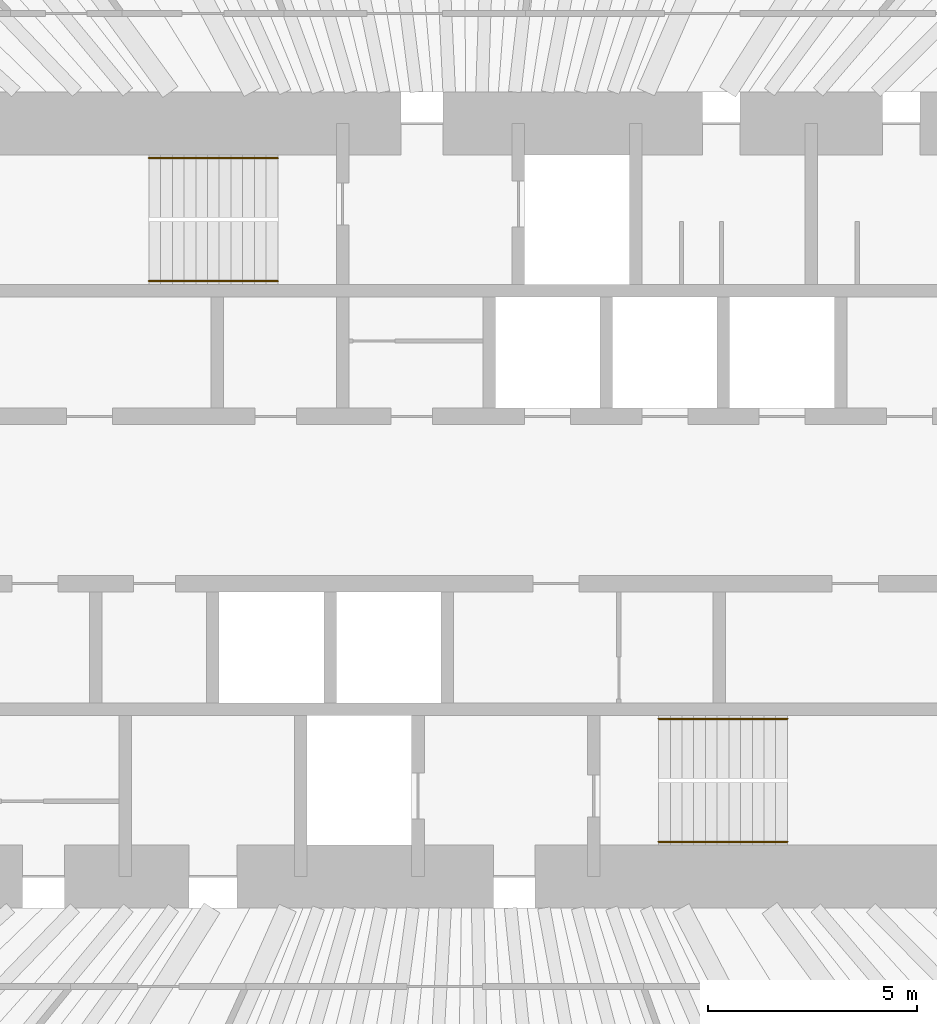
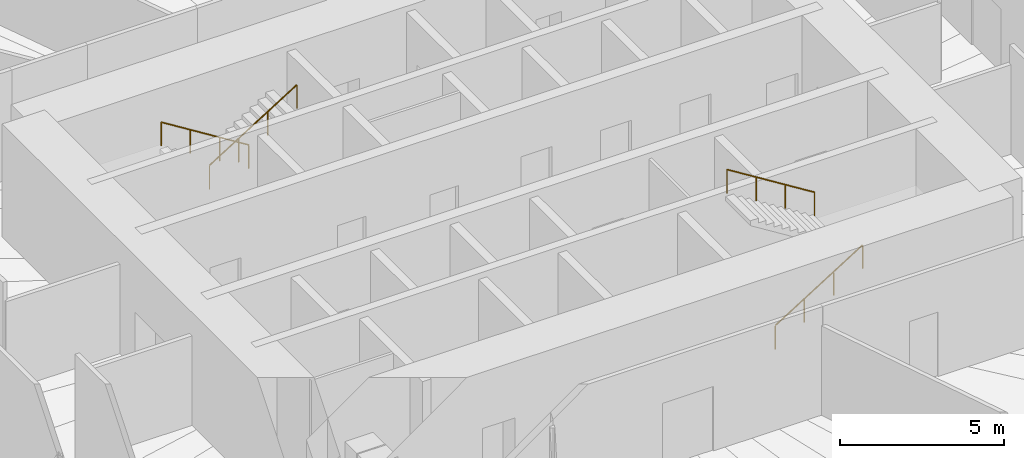
# One storey, part 13 of 13: 4 railings.
"""IFC4 building model written with IfcOpenShell, lengths in metres."""

import ifcopenshell
import ifcopenshell.guid

model = None  # the IFC model being written
_history = None  # IfcOwnerHistory: only IFC2X3 demands one
_inside = {}  # id of a spatial element -> (the spatial element, [elements in it])
_under = {}  # id of a project, library or spatial element -> (it, [spatial elements below it])
_declared = {}  # id of a project -> (the project, [libraries it declares])
_typed = {}  # id of a type object -> (the type object, [elements of that type])
_made_of = {}  # id of a material, layer set ... -> (it, [elements and type objects made of it])


def new_model(schema):
    """Start an empty IFC model of exactly this schema.

    Asked for "IFC4X3", IfcOpenShell would pick the latest addendum, in which some entities
    have other attributes; the version numbers below select the first issue.
    IFC2X3 requires an IfcOwnerHistory on every rooted entity: one is made here for all.
    """
    global model, _history
    if schema == "IFC4X3":
        model = ifcopenshell.file(schema_version=(4, 3, 0, 0))
    else:
        model = ifcopenshell.file(schema=schema)
    _inside.clear()
    _under.clear()
    _declared.clear()
    _typed.clear()
    _made_of.clear()
    _history = None
    if model.schema == "IFC2X3":
        org = make("IfcOrganization", Name="unknown")
        user = make(
            "IfcPersonAndOrganization",
            ThePerson=make("IfcPerson", FamilyName="unknown"),
            TheOrganization=org,
        )
        app = make(
            "IfcApplication",
            ApplicationDeveloper=org,
            Version="unknown",
            ApplicationFullName="unknown",
            ApplicationIdentifier="unknown",
        )
        _history = make(
            "IfcOwnerHistory",
            OwningUser=user,
            OwningApplication=app,
            ChangeAction="ADDED",
            CreationDate=0,
        )
    return model


def make(cls, **values):
    """One entity of the class cls with the attributes given. An attribute that is None is left unset."""
    return model.create_entity(
        cls, **{name: value for name, value in values.items() if value is not None}
    )


def rooted(cls, **values):
    """An entity with a GlobalId (a new one), such as an element, a storey or a relation."""
    return make(cls, GlobalId=ifcopenshell.guid.new(), OwnerHistory=_history, **values)


def si_unit(unit_type, name, prefix=None):
    """IfcSIUnit, for example si_unit("LENGTHUNIT", "METRE", prefix="MILLI")."""
    return make("IfcSIUnit", UnitType=unit_type, Prefix=prefix, Name=name)


def assignment(units):
    """IfcUnitAssignment: the units of a project."""
    return None if units is None else make("IfcUnitAssignment", Units=units)


def point(xyz):
    """IfcCartesianPoint."""
    return None if xyz is None else make("IfcCartesianPoint", Coordinates=xyz)


def direction(xyz):
    """IfcDirection."""
    return None if xyz is None else make("IfcDirection", DirectionRatios=xyz)


def frame(location, z_axis=None, x_axis=None):
    """IfcAxis2Placement3D, a coordinate frame: its origin and axes. An axis left out is left unset."""
    return make(
        "IfcAxis2Placement3D",
        Location=point(location),
        Axis=direction(z_axis),
        RefDirection=direction(x_axis),
    )


def frame_2d(location, x_axis=None):
    """IfcAxis2Placement2D, a coordinate frame in the plane: its origin and x axis."""
    return make(
        "IfcAxis2Placement2D", Location=point(location), RefDirection=direction(x_axis)
    )


def origin():
    """The frame at (0, 0, 0) with its axes left unset."""
    return frame((0.0, 0.0, 0.0))


def origin_2d():
    """The frame at (0, 0) in the plane with its x axis left unset."""
    return frame_2d((0.0, 0.0))


def place(relative_to, where):
    """IfcLocalPlacement: puts the frame where relative to a parent placement (None: the world)."""
    return make(
        "IfcLocalPlacement", PlacementRelTo=relative_to, RelativePlacement=where
    )


def context(
    kind, dimensions, precision=None, world=None, true_north=None, identifier=None
):
    """IfcGeometricRepresentationContext, for example the 3D "Model" context."""
    return make(
        "IfcGeometricRepresentationContext",
        ContextIdentifier=identifier,
        ContextType=kind,
        CoordinateSpaceDimension=dimensions,
        Precision=precision,
        WorldCoordinateSystem=world,
        TrueNorth=true_north,
    )


def subcontext(parent, identifier, kind, view, scale=None):
    """IfcGeometricRepresentationSubContext, for example "Body" below "Model"."""
    return make(
        "IfcGeometricRepresentationSubContext",
        ContextIdentifier=identifier,
        ContextType=kind,
        ParentContext=parent,
        TargetScale=scale,
        TargetView=view,
    )


def project(units=None, contexts=None):
    """IfcProject with its units and contexts."""
    return rooted(
        "IfcProject",
        Name="project",
        RepresentationContexts=contexts,
        UnitsInContext=assignment(units),
    )


def spatial(cls, under=None, at=None, **own):
    """A site, building, storey or space (cls), placed at a placement, below another one or the project."""
    s = rooted(cls, ObjectPlacement=at, **own)
    if under is not None:
        _under.setdefault(under.id(), (under, []))[1].append(s)
    return s


def profile(cls, at=None, kind="AREA", **sizes):
    """A parametric profile (cls). Its sizes go by their IFC names, for example OverallWidth=200.0."""
    return make(cls, ProfileType=kind, Position=at, **sizes)


def circle(**sizes):
    """IfcCircleProfileDef."""
    return profile("IfcCircleProfileDef", **sizes)


def extrude(swept, where, along, depth):
    """IfcExtrudedAreaSolid: the profile swept, set in the frame where, extruded along a direction by depth."""
    return make(
        "IfcExtrudedAreaSolid",
        SweptArea=swept,
        Position=where,
        ExtrudedDirection=direction(along),
        Depth=depth,
    )


def shape(context_of_items, identifier, shape_type, items):
    """IfcShapeRepresentation: the items that make up one representation, for example the "Body"."""
    return make(
        "IfcShapeRepresentation",
        ContextOfItems=context_of_items,
        RepresentationIdentifier=identifier,
        RepresentationType=shape_type,
        Items=items,
    )


def material(Name=None, Category=None):
    """IfcMaterial."""
    return make("IfcMaterial", Name=Name, Category=Category)


def made_of(thing, what):
    """Note that an element or type object is made of a material, layer set ...; save() writes the relation."""
    if what is not None:
        _made_of.setdefault(what.id(), (what, []))[1].append(thing)
    return thing


def type_object(cls, material=None, **own):
    """A type object (cls), such as IfcWallType, which elements share."""
    return made_of(rooted(cls, **own), material)


def element(
    cls,
    number,
    at=None,
    inside=None,
    cuts=None,
    type_object=None,
    material=None,
    context=None,
    identifier="Body",
    shape_type=None,
    held_by="IfcProductDefinitionShape",
    body=None,
    shapes=None,
    **own,
):
    """One element of the class cls, such as IfcWall. Its Tag is "e" and its number.

    at: its placement. inside: the storey or other place that contains it. cuts: it is an
    opening in that element (IfcRelVoidsElement). A single representation is given by context,
    identifier, shape_type and body (its items); several are given by shapes. held_by: the class
    of the entity that holds the representations. save() writes the other relations.
    """
    e = rooted(cls, Tag="e%d" % number, ObjectPlacement=at, **own)
    if body is not None:
        shapes = [shape(context, identifier, shape_type, body)]
    if shapes is not None:
        e.Representation = make(held_by, Representations=shapes)
    if inside is not None:
        _inside.setdefault(inside.id(), (inside, []))[1].append(e)
    if cuts is not None:
        rooted(
            "IfcRelVoidsElement", RelatingBuildingElement=cuts, RelatedOpeningElement=e
        )
    if type_object is not None:
        _typed.setdefault(type_object.id(), (type_object, []))[1].append(e)
    return made_of(e, material)


def aggregate(whole, parts):
    """IfcRelAggregates: a whole, such as a stair, and the parts it consists of."""
    return rooted("IfcRelAggregates", RelatingObject=whole, RelatedObjects=parts)


def save(model, path):
    """Write the relations noted so far, then the file.

    IfcRelAggregates (storeys below a building ...), IfcRelContainedInSpatialStructure (elements
    in a storey), IfcRelDefinesByType, IfcRelAssociatesMaterial and IfcRelDeclares: one each for
    every whole, place, type object, material and project.
    """
    for whole, parts in _under.values():
        aggregate(whole, parts)
    for where, things in _inside.values():
        rooted(
            "IfcRelContainedInSpatialStructure",
            RelatedElements=things,
            RelatingStructure=where,
        )
    for kind, things in _typed.values():
        rooted("IfcRelDefinesByType", RelatedObjects=things, RelatingType=kind)
    for what, things in _made_of.values():
        rooted("IfcRelAssociatesMaterial", RelatedObjects=things, RelatingMaterial=what)
    for by, libraries in _declared.values():
        rooted("IfcRelDeclares", RelatingContext=by, RelatedDefinitions=libraries)
    model.write(path)


model = new_model("IFC4")

# Units and contexts
model_context = context("Model", 3, precision=1e-05, world=origin(), true_north=direction((0.0, 1.0)))
body_context = subcontext(model_context, "Body", "Model", "MODEL_VIEW")
ifc_project = project(units=[si_unit("LENGTHUNIT", "METRE"), si_unit("AREAUNIT", "SQUARE_METRE"), si_unit("VOLUMEUNIT", "CUBIC_METRE"), si_unit("PLANEANGLEUNIT", "RADIAN"), si_unit("MASSUNIT", "GRAM", prefix="KILO")], contexts=[model_context])

# Site, building, storey
site_placement = place(None, origin())
site = spatial("IfcSite", under=ifc_project, at=site_placement, CompositionType="ELEMENT")
building_placement = place(site_placement, origin())
building = spatial("IfcBuilding", under=site, at=building_placement, Name="Qingtian Harvest Tower", CompositionType="ELEMENT")
storey_placement = place(building_placement, frame((0.0, 0.0, 157.60009765625)))
storey = spatial("IfcBuildingStorey", under=building, at=storey_placement, Name="L33", CompositionType="ELEMENT", Elevation=157.60009765625)

# Railings
ifc_material = material(Name="Stainless steel handrail", Category="steel")
railing_type = type_object("IfcRailingType", Name="Handrail HR1", PredefinedType="HANDRAIL", material=ifc_material)
railing_1_placement = place(storey_placement, frame((-4.550048828125, 8.169921875, 0.1748046875)))
element("IfcRailing", 1, at=railing_1_placement, inside=storey, type_object=railing_type, Name="Handrail HR1 S1 flight 1", PredefinedType="HANDRAIL", context=body_context, shape_type="SweptSolid", body=[
    extrude(circle(Radius=0.02392578125, at=origin_2d()), frame((0.0, 0.0, 0.8759765625), z_axis=(-0.847979421464, 0.0, 0.530029150871), x_axis=(0.0, -1.0, 0.0)), (0.0, 0.0, 1.0), 3.632080078125),
    extrude(circle(Radius=0.02099609375, at=origin_2d()), origin(), (0.0, 0.0, 1.0), 0.851806640625),
    extrude(circle(Radius=0.02099609375, at=origin_2d()), frame((-1.026611328125, 0.0, 0.6416015625)), (0.0, 0.0, 1.0), 0.851806640625),
    extrude(circle(Radius=0.02099609375, at=origin_2d()), frame((-2.05322265625, 0.0, 1.283447265625)), (0.0, 0.0, 1.0), 0.851806640625),
    extrude(circle(Radius=0.02099609375, at=origin_2d()), frame((-3.079833984375, 0.0, 1.925048828125)), (0.0, 0.0, 1.0), 0.851806640625),
])
for number, where, name in (
    (2, (-7.6298828125, 5.22998046875, 2.27490234375), "Handrail HR1 S1 flight 2"),
    (3, (4.550048828125, -8.169921875, 0.1748046875), "Handrail HR1 S2 flight 1"),
):
    element("IfcRailing", number, at=place(storey_placement, frame(where)), inside=storey, type_object=railing_type, Name=name, PredefinedType="HANDRAIL", context=body_context, shape_type="SweptSolid", body=[
        extrude(circle(Radius=0.02392578125, at=origin_2d()), frame((0.0, 0.0, 0.8759765625), z_axis=(0.847979421464, 0.0, 0.530029150871), x_axis=(0.0, 1.0, 0.0)), (0.0, 0.0, 1.0), 3.632080078125),
        extrude(circle(Radius=0.02099609375, at=origin_2d()), origin(), (0.0, 0.0, 1.0), 0.851806640625),
        extrude(circle(Radius=0.02099609375, at=origin_2d()), frame((1.026611328125, 0.0, 0.6416015625)), (0.0, 0.0, 1.0), 0.851806640625),
        extrude(circle(Radius=0.02099609375, at=origin_2d()), frame((2.05322265625, 0.0, 1.283447265625)), (0.0, 0.0, 1.0), 0.851806640625),
        extrude(circle(Radius=0.02099609375, at=origin_2d()), frame((3.079833984375, 0.0, 1.925048828125)), (0.0, 0.0, 1.0), 0.851806640625),
    ])
railing_2_placement = place(storey_placement, frame((7.6298828125, -5.22998046875, 2.27490234375)))
element("IfcRailing", 4, at=railing_2_placement, inside=storey, type_object=railing_type, Name="Handrail HR1 S2 flight 2", PredefinedType="HANDRAIL", context=body_context, shape_type="SweptSolid", body=[
    extrude(circle(Radius=0.02392578125, at=origin_2d()), frame((0.0, 0.0, 0.8759765625), z_axis=(-0.847979421464, 0.0, 0.530029150871), x_axis=(0.0, -1.0, 0.0)), (0.0, 0.0, 1.0), 3.632080078125),
    extrude(circle(Radius=0.02099609375, at=origin_2d()), origin(), (0.0, 0.0, 1.0), 0.851806640625),
    extrude(circle(Radius=0.02099609375, at=origin_2d()), frame((-1.026611328125, 0.0, 0.6416015625)), (0.0, 0.0, 1.0), 0.851806640625),
    extrude(circle(Radius=0.02099609375, at=origin_2d()), frame((-2.05322265625, 0.0, 1.283447265625)), (0.0, 0.0, 1.0), 0.851806640625),
    extrude(circle(Radius=0.02099609375, at=origin_2d()), frame((-3.079833984375, 0.0, 1.925048828125)), (0.0, 0.0, 1.0), 0.851806640625),
])

save(model, "model.ifc")
